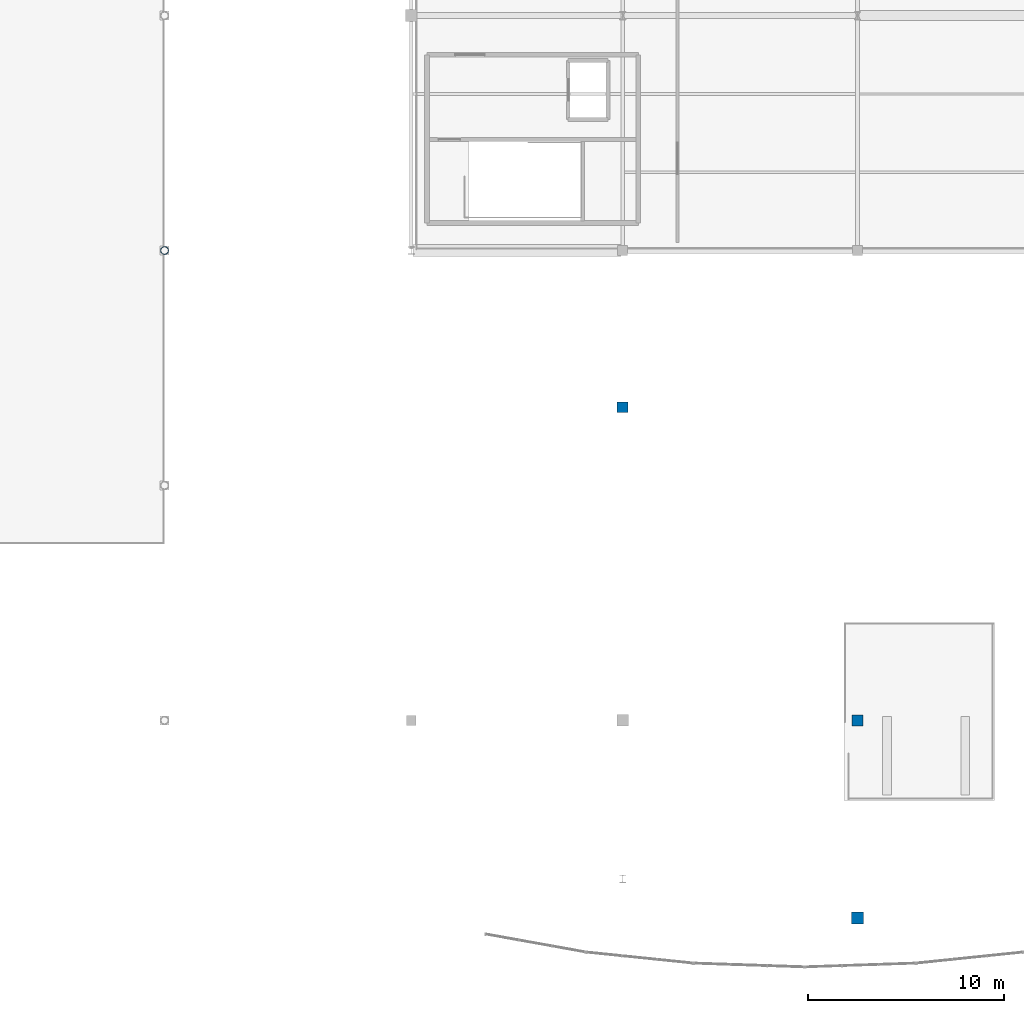
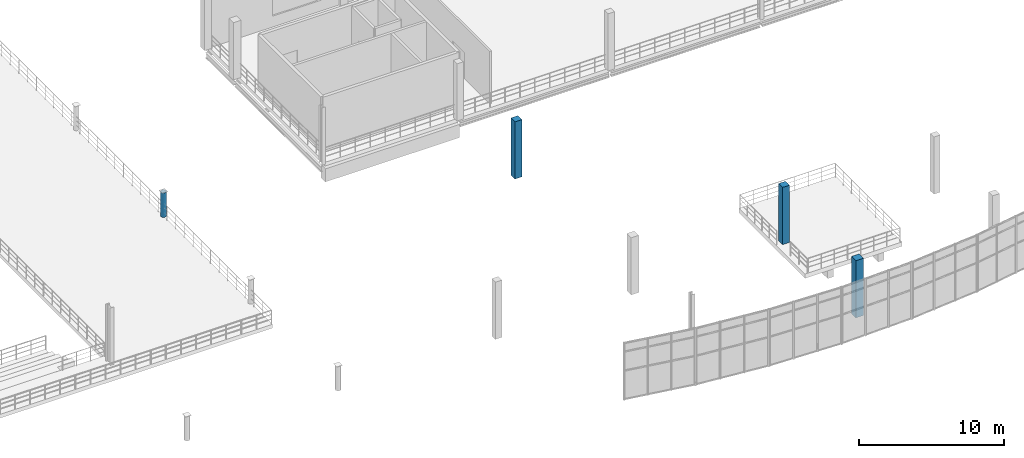
# One storey, part 6 of 52: 4 columns.
"""IFC4 building model written with IfcOpenShell, lengths in metres."""

import ifcopenshell
import ifcopenshell.guid

model = None  # the IFC model being written
_history = None  # IfcOwnerHistory: only IFC2X3 demands one
_inside = {}  # id of a spatial element -> (the spatial element, [elements in it])
_under = {}  # id of a project, library or spatial element -> (it, [spatial elements below it])
_declared = {}  # id of a project -> (the project, [libraries it declares])
_typed = {}  # id of a type object -> (the type object, [elements of that type])
_made_of = {}  # id of a material, layer set ... -> (it, [elements and type objects made of it])


def new_model(schema):
    """Start an empty IFC model of exactly this schema.

    Asked for "IFC4X3", IfcOpenShell would pick the latest addendum, in which some entities
    have other attributes; the version numbers below select the first issue.
    IFC2X3 requires an IfcOwnerHistory on every rooted entity: one is made here for all.
    """
    global model, _history
    if schema == "IFC4X3":
        model = ifcopenshell.file(schema_version=(4, 3, 0, 0))
    else:
        model = ifcopenshell.file(schema=schema)
    _inside.clear()
    _under.clear()
    _declared.clear()
    _typed.clear()
    _made_of.clear()
    _history = None
    if model.schema == "IFC2X3":
        org = make("IfcOrganization", Name="unknown")
        user = make(
            "IfcPersonAndOrganization",
            ThePerson=make("IfcPerson", FamilyName="unknown"),
            TheOrganization=org,
        )
        app = make(
            "IfcApplication",
            ApplicationDeveloper=org,
            Version="unknown",
            ApplicationFullName="unknown",
            ApplicationIdentifier="unknown",
        )
        _history = make(
            "IfcOwnerHistory",
            OwningUser=user,
            OwningApplication=app,
            ChangeAction="ADDED",
            CreationDate=0,
        )
    return model


def make(cls, **values):
    """One entity of the class cls with the attributes given. An attribute that is None is left unset."""
    return model.create_entity(
        cls, **{name: value for name, value in values.items() if value is not None}
    )


def rooted(cls, **values):
    """An entity with a GlobalId (a new one), such as an element, a storey or a relation."""
    return make(cls, GlobalId=ifcopenshell.guid.new(), OwnerHistory=_history, **values)


def si_unit(unit_type, name, prefix=None):
    """IfcSIUnit, for example si_unit("LENGTHUNIT", "METRE", prefix="MILLI")."""
    return make("IfcSIUnit", UnitType=unit_type, Prefix=prefix, Name=name)


def assignment(units):
    """IfcUnitAssignment: the units of a project."""
    return None if units is None else make("IfcUnitAssignment", Units=units)


def point(xyz):
    """IfcCartesianPoint."""
    return None if xyz is None else make("IfcCartesianPoint", Coordinates=xyz)


def direction(xyz):
    """IfcDirection."""
    return None if xyz is None else make("IfcDirection", DirectionRatios=xyz)


def frame(location, z_axis=None, x_axis=None):
    """IfcAxis2Placement3D, a coordinate frame: its origin and axes. An axis left out is left unset."""
    return make(
        "IfcAxis2Placement3D",
        Location=point(location),
        Axis=direction(z_axis),
        RefDirection=direction(x_axis),
    )


def frame_2d(location, x_axis=None):
    """IfcAxis2Placement2D, a coordinate frame in the plane: its origin and x axis."""
    return make(
        "IfcAxis2Placement2D", Location=point(location), RefDirection=direction(x_axis)
    )


def origin():
    """The frame at (0, 0, 0) with its axes left unset."""
    return frame((0.0, 0.0, 0.0))


def origin_2d():
    """The frame at (0, 0) in the plane with its x axis left unset."""
    return frame_2d((0.0, 0.0))


def place(relative_to, where):
    """IfcLocalPlacement: puts the frame where relative to a parent placement (None: the world)."""
    return make(
        "IfcLocalPlacement", PlacementRelTo=relative_to, RelativePlacement=where
    )


def context(
    kind, dimensions, precision=None, world=None, true_north=None, identifier=None
):
    """IfcGeometricRepresentationContext, for example the 3D "Model" context."""
    return make(
        "IfcGeometricRepresentationContext",
        ContextIdentifier=identifier,
        ContextType=kind,
        CoordinateSpaceDimension=dimensions,
        Precision=precision,
        WorldCoordinateSystem=world,
        TrueNorth=true_north,
    )


def subcontext(parent, identifier, kind, view, scale=None):
    """IfcGeometricRepresentationSubContext, for example "Body" below "Model"."""
    return make(
        "IfcGeometricRepresentationSubContext",
        ContextIdentifier=identifier,
        ContextType=kind,
        ParentContext=parent,
        TargetScale=scale,
        TargetView=view,
    )


def project(units=None, contexts=None):
    """IfcProject with its units and contexts."""
    return rooted(
        "IfcProject",
        Name="project",
        RepresentationContexts=contexts,
        UnitsInContext=assignment(units),
    )


def spatial(cls, under=None, at=None, **own):
    """A site, building, storey or space (cls), placed at a placement, below another one or the project."""
    s = rooted(cls, ObjectPlacement=at, **own)
    if under is not None:
        _under.setdefault(under.id(), (under, []))[1].append(s)
    return s


def profile(cls, at=None, kind="AREA", **sizes):
    """A parametric profile (cls). Its sizes go by their IFC names, for example OverallWidth=200.0."""
    return make(cls, ProfileType=kind, Position=at, **sizes)


def rectangle(**sizes):
    """IfcRectangleProfileDef."""
    return profile("IfcRectangleProfileDef", **sizes)


def hollow_circle(**sizes):
    """IfcCircleHollowProfileDef."""
    return profile("IfcCircleHollowProfileDef", **sizes)


def extrude(swept, where, along, depth):
    """IfcExtrudedAreaSolid: the profile swept, set in the frame where, extruded along a direction by depth."""
    return make(
        "IfcExtrudedAreaSolid",
        SweptArea=swept,
        Position=where,
        ExtrudedDirection=direction(along),
        Depth=depth,
    )


def shape(context_of_items, identifier, shape_type, items):
    """IfcShapeRepresentation: the items that make up one representation, for example the "Body"."""
    return make(
        "IfcShapeRepresentation",
        ContextOfItems=context_of_items,
        RepresentationIdentifier=identifier,
        RepresentationType=shape_type,
        Items=items,
    )


def material(Name=None, Category=None):
    """IfcMaterial."""
    return make("IfcMaterial", Name=Name, Category=Category)


def material_profile(
    of_material, cross_section, Name=None, Category=None, Priority=None
):
    """IfcMaterialProfile: a cross section and its material."""
    return make(
        "IfcMaterialProfile",
        Name=Name,
        Material=of_material,
        Profile=cross_section,
        Priority=Priority,
        Category=Category,
    )


def profile_set(profiles, Name=None, composite=None):
    """IfcMaterialProfileSet."""
    return make(
        "IfcMaterialProfileSet",
        Name=Name,
        MaterialProfiles=profiles,
        CompositeProfile=composite,
    )


def made_of(thing, what):
    """Note that an element or type object is made of a material, layer set ...; save() writes the relation."""
    if what is not None:
        _made_of.setdefault(what.id(), (what, []))[1].append(thing)
    return thing


def type_object(cls, material=None, **own):
    """A type object (cls), such as IfcWallType, which elements share."""
    return made_of(rooted(cls, **own), material)


def element(
    cls,
    number,
    at=None,
    inside=None,
    cuts=None,
    type_object=None,
    material=None,
    context=None,
    identifier="Body",
    shape_type=None,
    held_by="IfcProductDefinitionShape",
    body=None,
    shapes=None,
    **own,
):
    """One element of the class cls, such as IfcWall. Its Tag is "e" and its number.

    at: its placement. inside: the storey or other place that contains it. cuts: it is an
    opening in that element (IfcRelVoidsElement). A single representation is given by context,
    identifier, shape_type and body (its items); several are given by shapes. held_by: the class
    of the entity that holds the representations. save() writes the other relations.
    """
    e = rooted(cls, Tag="e%d" % number, ObjectPlacement=at, **own)
    if body is not None:
        shapes = [shape(context, identifier, shape_type, body)]
    if shapes is not None:
        e.Representation = make(held_by, Representations=shapes)
    if inside is not None:
        _inside.setdefault(inside.id(), (inside, []))[1].append(e)
    if cuts is not None:
        rooted(
            "IfcRelVoidsElement", RelatingBuildingElement=cuts, RelatedOpeningElement=e
        )
    if type_object is not None:
        _typed.setdefault(type_object.id(), (type_object, []))[1].append(e)
    return made_of(e, material)


def aggregate(whole, parts):
    """IfcRelAggregates: a whole, such as a stair, and the parts it consists of."""
    return rooted("IfcRelAggregates", RelatingObject=whole, RelatedObjects=parts)


def save(model, path):
    """Write the relations noted so far, then the file.

    IfcRelAggregates (storeys below a building ...), IfcRelContainedInSpatialStructure (elements
    in a storey), IfcRelDefinesByType, IfcRelAssociatesMaterial and IfcRelDeclares: one each for
    every whole, place, type object, material and project.
    """
    for whole, parts in _under.values():
        aggregate(whole, parts)
    for where, things in _inside.values():
        rooted(
            "IfcRelContainedInSpatialStructure",
            RelatedElements=things,
            RelatingStructure=where,
        )
    for kind, things in _typed.values():
        rooted("IfcRelDefinesByType", RelatedObjects=things, RelatingType=kind)
    for what, things in _made_of.values():
        rooted("IfcRelAssociatesMaterial", RelatedObjects=things, RelatingMaterial=what)
    for by, libraries in _declared.values():
        rooted("IfcRelDeclares", RelatingContext=by, RelatedDefinitions=libraries)
    model.write(path)


model = new_model("IFC4")

# Units and contexts
model_context = context("Model", 3, precision=1e-05, world=origin(), true_north=direction((0.0, 1.0)))
body_context = subcontext(model_context, "Body", "Model", "MODEL_VIEW")
ifc_project = project(units=[si_unit("LENGTHUNIT", "METRE"), si_unit("AREAUNIT", "SQUARE_METRE"), si_unit("VOLUMEUNIT", "CUBIC_METRE"), si_unit("PLANEANGLEUNIT", "RADIAN"), si_unit("MASSUNIT", "GRAM", prefix="KILO"), si_unit("THERMODYNAMICTEMPERATUREUNIT", "KELVIN"), si_unit("POWERUNIT", "WATT")], contexts=[model_context])

# Site, building, storey
site_placement = place(None, origin())
site = spatial("IfcSite", under=ifc_project, at=site_placement, CompositionType="ELEMENT")
building_placement = place(site_placement, origin())
building = spatial("IfcBuilding", under=site, at=building_placement, Name="Solmara Park Aquatics Centre", CompositionType="ELEMENT")
storey_placement = place(building_placement, frame((0.0, 0.0, 9.60009765625)))
storey = spatial("IfcBuildingStorey", under=building, at=storey_placement, Name="L02", CompositionType="ELEMENT", Elevation=9.60009765625)

# Columns
ifc_material_1 = material(Name="Structural Steel S355", Category="steel")
ifc_material_profile_1 = material_profile(ifc_material_1, hollow_circle(Radius=0.203125, WallThickness=0.01611328125, at=origin_2d()), Name="CHS 406.4x16")
ifc_profile_set_1 = profile_set([ifc_material_profile_1], Name="Structural Steel S355")
column_type_1 = type_object("IfcColumnType", Name="STR-COL-CHS406", PredefinedType="COLUMN", material=ifc_profile_set_1)
column_1_placement = place(storey_placement, frame((96.60009765625, 36.60009765625, 0.0), z_axis=(0.0, 0.0, 1.0), x_axis=(1.0, 0.0, 0.0)))
element("IfcColumn", 1, at=column_1_placement, inside=storey, type_object=column_type_1, Name="Column L02-0517", PredefinedType="COLUMN", context=body_context, shape_type="SweptSolid", body=[
    extrude(hollow_circle(Radius=0.203125, WallThickness=0.01611328125, at=origin_2d()), origin(), (0.0, 0.0, 1.0), 2.059814453125),
])
ifc_material_2 = material(Name="Concrete C40/50", Category="concrete")
ifc_material_profile_2 = material_profile(ifc_material_2, rectangle(XDim=0.550048828125, YDim=0.550048828125, at=origin_2d()), Name="RC 550x550")
ifc_profile_set_2 = profile_set([ifc_material_profile_2], Name="Concrete C40/50")
column_type_2 = type_object("IfcColumnType", Name="STR-COL-RC550", PredefinedType="COLUMN", material=ifc_profile_set_2)
for number, where, z_axis, x_axis, name in (
    (2, (120.0, 28.60009765625, 0.0), (0.0, 0.0, 1.0), (1.0, 0.0, 0.0), "Column L02-0538"),
    (3, (132.0, 12.60009765625, 0.0), (0.0, 0.0, 1.0), (1.0, 0.0, 0.0), "Column L02-0546"),
):
    element("IfcColumn", number, at=place(storey_placement, frame(where, z_axis=z_axis, x_axis=x_axis)), inside=storey, type_object=column_type_2, Name=name, PredefinedType="COLUMN", context=body_context, shape_type="SweptSolid", body=[
        extrude(rectangle(XDim=0.550048828125, YDim=0.550048828125, at=origin_2d()), origin(), (0.0, 0.0, 1.0), 4.7998046875),
    ])
ifc_material_profile_3 = material_profile(ifc_material_2, rectangle(XDim=0.60009765625, YDim=0.60009765625, at=origin_2d()), Name="RC 600x600")
ifc_profile_set_3 = profile_set([ifc_material_profile_3], Name="Concrete C40/50")
column_type_3 = type_object("IfcColumnType", Name="STR-COL-RC600", PredefinedType="COLUMN", material=ifc_profile_set_3)
column_2_placement = place(storey_placement, frame((132.0, 2.5, 0.0), z_axis=(0.0, 0.0, 1.0), x_axis=(1.0, 0.0, 0.0)))
element("IfcColumn", 4, at=column_2_placement, inside=storey, type_object=column_type_3, Name="Column L02-0545", PredefinedType="COLUMN", context=body_context, shape_type="SweptSolid", body=[
    extrude(rectangle(XDim=0.60009765625, YDim=0.60009765625, at=origin_2d()), origin(), (0.0, 0.0, 1.0), 4.7998046875),
])

save(model, "model.ifc")
